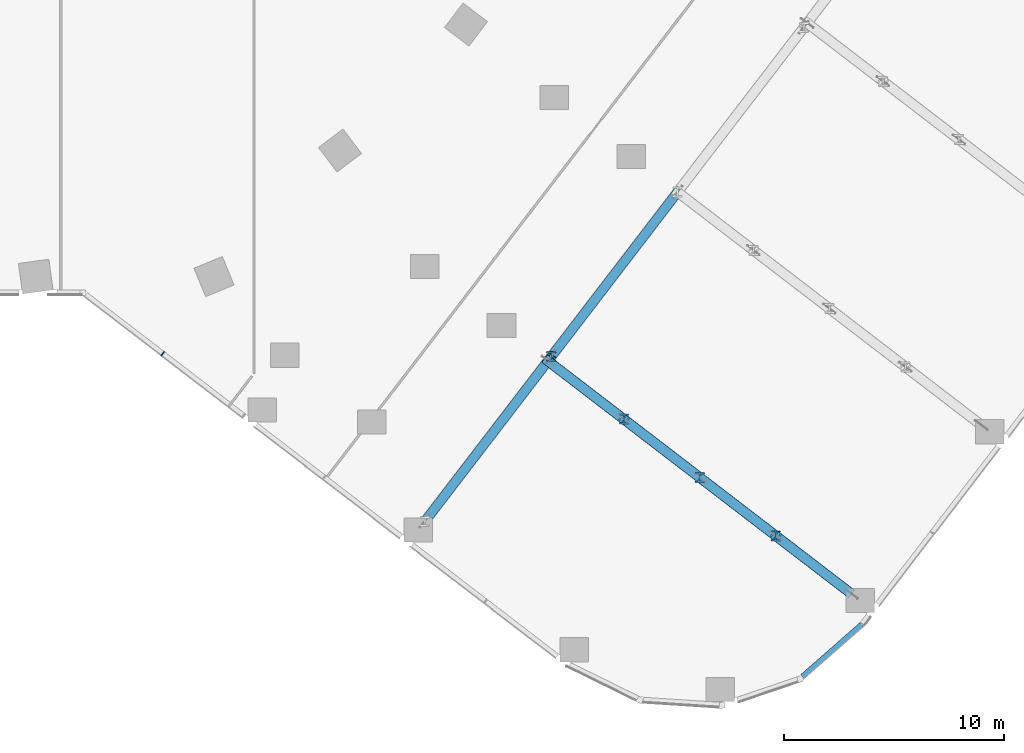
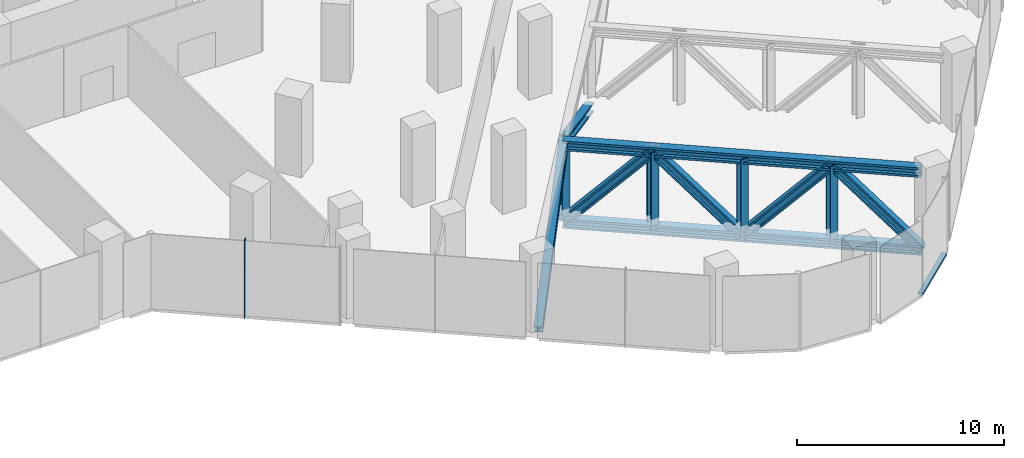
# One storey, part 7 of 30: 14 members, 2 elements without a shape of their own.
"""IFC4 building model written with IfcOpenShell, lengths in metres."""

from ifc_helpers import new_model, si_unit, direction, frame, origin, origin_2d, place, context, subcontext, project, spatial, rectangle, i_section, extrude, material, material_profile, profile_set, type_object, element, aggregate, save


model = new_model("IFC4")

# Units and contexts
model_context = context("Model", 3, precision=1e-05, world=origin(), true_north=direction((0.0, 1.0)))
body_context = subcontext(model_context, "Body", "Model", "MODEL_VIEW")
ifc_project = project(units=[si_unit("LENGTHUNIT", "METRE"), si_unit("AREAUNIT", "SQUARE_METRE"), si_unit("VOLUMEUNIT", "CUBIC_METRE"), si_unit("PLANEANGLEUNIT", "RADIAN"), si_unit("MASSUNIT", "GRAM", prefix="KILO")], contexts=[model_context])

# Site, building, storey
site_placement = place(None, origin())
site = spatial("IfcSite", under=ifc_project, at=site_placement, CompositionType="ELEMENT")
building_placement = place(site_placement, origin())
building = spatial("IfcBuilding", under=site, at=building_placement, Name="Orlundy Tower", CompositionType="ELEMENT")
storey_placement = place(building_placement, frame((0.0, 0.0, 20.5)))
storey = spatial("IfcBuildingStorey", under=building, at=storey_placement, Name="L03", CompositionType="ELEMENT", Elevation=20.5)

# Curtain wall, member
ifc_material_1 = material(Name="Aluminium bronze anodised", Category="aluminium")
curtain_wall_type = type_object("IfcCurtainWallType", Name="CW2 wall", PredefinedType="NOTDEFINED", material=ifc_material_1)
curtain_wall_1_placement = place(storey_placement, origin())
curtain_wall_1 = element("IfcCurtainWall", 1, at=curtain_wall_1_placement, inside=storey, type_object=curtain_wall_type, Name="CW2 run 00", PredefinedType="NOTDEFINED")
ifc_material_2 = material(Name="Aluminium bronze anodised", Category="aluminium")
ifc_material_profile_1 = material_profile(ifc_material_2, rectangle(XDim=0.25, YDim=0.050048828125, at=origin_2d()), Name="CW2 mullion 50x250")
ifc_profile_set_1 = profile_set([ifc_material_profile_1], Name="Aluminium bronze anodised")
member_type_1 = type_object("IfcMemberType", Name="CW2 mullion 50x250", PredefinedType="MULLION", material=ifc_profile_set_1)
member_1_placement = place(storey_placement, frame((9.8408203125, -32.918212890625, -0.39990234375), z_axis=(0.0, 0.0, 1.0), x_axis=(-0.60875715215, -0.793356622022, 0.0)))
member_1 = element("IfcMember", 2, at=member_1_placement, type_object=member_type_1, Name="CW2 mullion 6", PredefinedType="MULLION", context=body_context, shape_type="SweptSolid", body=[
    extrude(rectangle(XDim=0.25, YDim=0.050048828125, at=origin_2d()), origin(), (0.0, 0.0, 1.0), 4.579833984375),
])
aggregate(curtain_wall_1, [member_1])

curtain_wall_2_placement = place(storey_placement, origin())
curtain_wall_2 = element("IfcCurtainWall", 3, at=curtain_wall_2_placement, inside=storey, type_object=curtain_wall_type, Name="CW2 run 024", PredefinedType="NOTDEFINED")
ifc_material_3 = material(Name="Aluminium bronze anodised", Category="aluminium")
ifc_material_profile_2 = material_profile(ifc_material_3, rectangle(XDim=0.25, YDim=0.14990234375, at=origin_2d()), Name="CW2 transom 250x150")
ifc_profile_set_2 = profile_set([ifc_material_profile_2], Name="Aluminium bronze anodised")
member_type_2 = type_object("IfcMemberType", Name="CW2 transom 250x150", PredefinedType="USERDEFINED", material=ifc_profile_set_2)
member_2_placement = place(storey_placement, frame((41.6787109375, -45.262451171875, -0.324951171875), z_axis=(-0.751850352577, -0.659333790526, 0.0), x_axis=(0.659333790526, -0.751850352577, 0.0)))
member_2 = element("IfcMember", 4, at=member_2_placement, type_object=member_type_2, Name="CW2 transom", ObjectType="TRANSOM", PredefinedType="USERDEFINED", context=body_context, shape_type="SweptSolid", body=[
    extrude(rectangle(XDim=0.25, YDim=0.14990234375, at=origin_2d()), origin(), (0.0, 0.0, 1.0), 3.58349609375),
])
aggregate(curtain_wall_2, [member_2])

# Members
ifc_material_4 = material(Name="Steel ASTM A992 Gr 50", Category="steel")
ifc_material_profile_3 = material_profile(ifc_material_4, i_section(OverallWidth=0.454345703125, OverallDepth=0.569580078125, WebThickness=0.077880859375, FlangeThickness=0.124755859375, at=origin_2d()), Name="W14X730")
ifc_profile_set_3 = profile_set([ifc_material_profile_3], Name="Steel ASTM A992 Gr 50")
member_type_3 = type_object("IfcMemberType", Name="TRANSFER TRUSS chord W14X730", PredefinedType="CHORD", material=ifc_profile_set_3)
for number, where, z_axis, x_axis, name in (
    (5, (27.388916015625, -33.242919921875, -0.684814453125), (0.79336970534, -0.608740101069, 0.0), (0.608740101069, 0.79336970534, 0.0), "Transfer truss bottom chord TT-L1"),
    (6, (27.388916015625, -33.242919921875, 3.895263671875), (0.79336970534, -0.608740101069, 0.0), (0.608740101069, 0.79336970534, 0.0), "Transfer truss top chord TT-L1"),
):
    element("IfcMember", number, at=place(storey_placement, frame(where, z_axis=z_axis, x_axis=x_axis)), inside=storey, type_object=member_type_3, Name=name, PredefinedType="CHORD", context=body_context, shape_type="SweptSolid", body=[
        extrude(i_section(OverallWidth=0.454345703125, OverallDepth=0.569580078125, WebThickness=0.077880859375, FlangeThickness=0.124755859375, at=origin_2d()), origin(), (0.0, 0.0, 1.0), 17.438720703125),
    ])
ifc_material_5 = material(Name="Steel ASTM A992 Gr 50", Category="steel")
ifc_material_profile_4 = material_profile(ifc_material_5, i_section(OverallWidth=0.43212890625, OverallDepth=0.497802734375, WebThickness=0.0556640625, FlangeThickness=0.0888671875, at=origin_2d()), Name="W14X500")
ifc_profile_set_4 = profile_set([ifc_material_profile_4], Name="Steel ASTM A992 Gr 50")
member_type_4 = type_object("IfcMemberType", Name="TRANSFER TRUSS diagonal W14X500", PredefinedType="BRACE", material=ifc_profile_set_4)
member_3_placement = place(storey_placement, frame((21.785400390625, -40.54638671875, -0.684814453125), z_axis=(0.547840868359, 0.713959607696, 0.436041353009), x_axis=(-0.793353129355, 0.608761703906, 0.0)))
element("IfcMember", 7, at=member_3_placement, inside=storey, type_object=member_type_4, Name="Transfer truss diagonal TT-1-0", PredefinedType="BRACE", context=body_context, shape_type="SweptSolid", body=[
    extrude(i_section(OverallWidth=0.43212890625, OverallDepth=0.497802734375, WebThickness=0.0556640625, FlangeThickness=0.0888671875, at=origin_2d()), origin(), (0.0, 0.0, 1.0), 10.503662109375),
])
member_4_placement = place(storey_placement, frame((27.539794921875, -33.047119140625, 3.895263671875), z_axis=(0.547833692137, 0.713957303563, -0.436054141648), x_axis=(-0.79335603178, 0.608757921377, 0.0)))
element("IfcMember", 8, at=member_4_placement, inside=storey, type_object=member_type_4, Name="Transfer truss diagonal TT-1-1", PredefinedType="BRACE", context=body_context, shape_type="SweptSolid", body=[
    extrude(i_section(OverallWidth=0.43212890625, OverallDepth=0.497802734375, WebThickness=0.0556640625, FlangeThickness=0.0888671875, at=origin_2d()), origin(), (0.0, 0.0, 1.0), 10.50341796875),
])
member_5_placement = place(storey_placement, frame((27.388916015625, -33.242919921875, -0.684814453125), z_axis=(0.547011344129, -0.41971769636, 0.724303558432), x_axis=(0.608744202274, 0.793366558533, 0.0)))
element("IfcMember", 9, at=member_5_placement, inside=storey, type_object=member_type_4, Name="Transfer truss diagonal TT-L1-0", PredefinedType="BRACE", context=body_context, shape_type="SweptSolid", body=[
    extrude(i_section(OverallWidth=0.43212890625, OverallDepth=0.497802734375, WebThickness=0.0556640625, FlangeThickness=0.0888671875, at=origin_2d()), origin(), (0.0, 0.0, 1.0), 6.323486328125),
])
for number, where, z_axis, x_axis, name in (
    (10, (30.847900390625, -35.89697265625, 3.895263671875), (0.546993150941, -0.419694751939, -0.724330593043), (0.608735999526, 0.793372852372, 0.0), "Transfer truss diagonal TT-L1-1"),
    (11, (34.306640625, -38.55078125, -0.684814453125), (0.546984286959, -0.419726560566, 0.724318855322), (0.608771247317, 0.793345806342, 0.0), "Transfer truss diagonal TT-L1-2"),
    (12, (37.765380859375, -41.204833984375, 3.895263671875), (0.547020208174, -0.419685888118, -0.724315295409), (0.608708954205, 0.793393602868, 0.0), "Transfer truss diagonal TT-L1-3"),
):
    element("IfcMember", number, at=place(storey_placement, frame(where, z_axis=z_axis, x_axis=x_axis)), inside=storey, type_object=member_type_4, Name=name, PredefinedType="BRACE", context=body_context, shape_type="SweptSolid", body=[
        extrude(i_section(OverallWidth=0.43212890625, OverallDepth=0.497802734375, WebThickness=0.0556640625, FlangeThickness=0.0888671875, at=origin_2d()), origin(), (0.0, 0.0, 1.0), 6.3232421875),
    ])
ifc_material_6 = material(Name="Steel ASTM A992 Gr 50", Category="steel")
ifc_material_profile_5 = material_profile(ifc_material_6, i_section(OverallWidth=0.41845703125, OverallDepth=0.455078125, WebThickness=0.0419921875, FlangeThickness=0.067626953125, at=origin_2d()), Name="W14X370")
ifc_profile_set_5 = profile_set([ifc_material_profile_5], Name="Steel ASTM A992 Gr 50")
member_type_5 = type_object("IfcMemberType", Name="TRANSFER TRUSS post W14X370", PredefinedType="POST", material=ifc_profile_set_5)
for number, where, z_axis, x_axis, name in (
    (13, (27.539794921875, -33.047119140625, -0.684814453125), (0.0, 0.0, 1.0), (1.0, 0.0, 0.0), "Transfer truss post TT-1-1"),
    (14, (30.847900390625, -35.89697265625, -0.684814453125), (0.0, 0.0, 1.0), (1.0, 0.0, 0.0), "Transfer truss post TT-L1-1"),
    (15, (34.306640625, -38.55078125, -0.684814453125), (0.0, 0.0, 1.0), (1.0, 0.0, 0.0), "Transfer truss post TT-L1-2"),
    (16, (37.765380859375, -41.204833984375, -0.684814453125), (0.0, 0.0, 1.0), (1.0, 0.0, 0.0), "Transfer truss post TT-L1-3"),
):
    element("IfcMember", number, at=place(storey_placement, frame(where, z_axis=z_axis, x_axis=x_axis)), inside=storey, type_object=member_type_5, Name=name, PredefinedType="POST", context=body_context, shape_type="SweptSolid", body=[
        extrude(i_section(OverallWidth=0.41845703125, OverallDepth=0.455078125, WebThickness=0.0419921875, FlangeThickness=0.067626953125, at=origin_2d()), origin(), (0.0, 0.0, 1.0), 4.580078125),
    ])

save(model, "model.ifc")
